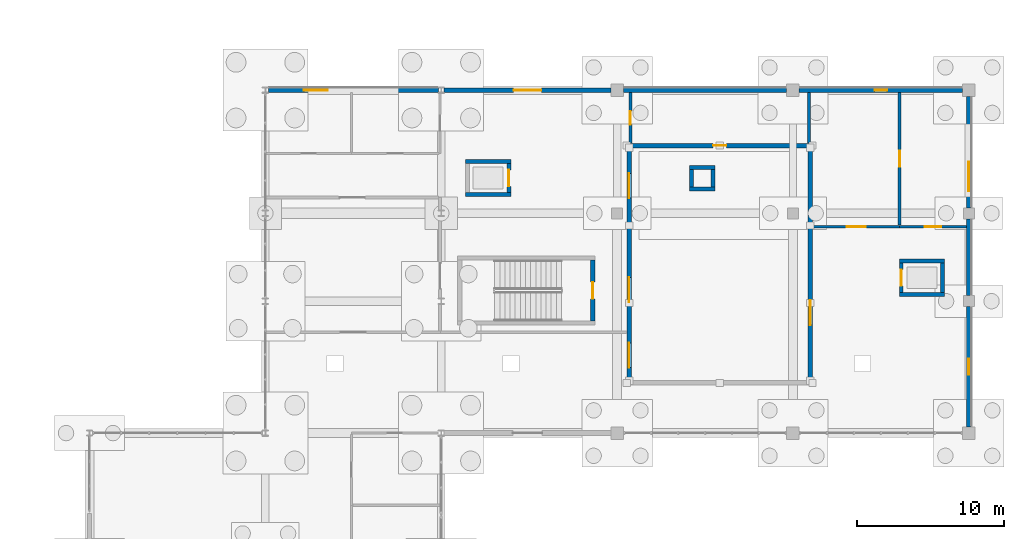
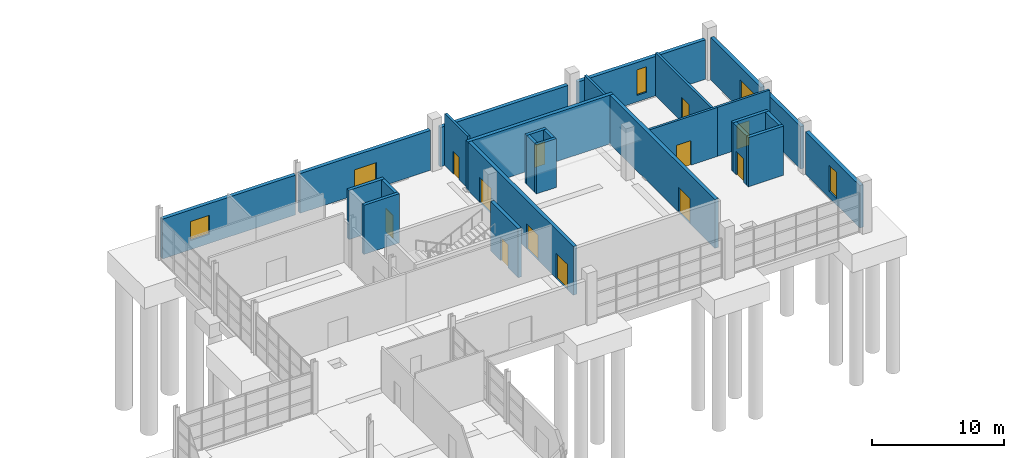
# One storey, part 65 of 82: 27 walls, 13 doors, 4 windows, 17 openings.
"""IFC4 building model written with IfcOpenShell, lengths in metres."""

import ifcopenshell
import ifcopenshell.guid

model = None  # the IFC model being written
_history = None  # IfcOwnerHistory: only IFC2X3 demands one
_inside = {}  # id of a spatial element -> (the spatial element, [elements in it])
_under = {}  # id of a project, library or spatial element -> (it, [spatial elements below it])
_declared = {}  # id of a project -> (the project, [libraries it declares])
_typed = {}  # id of a type object -> (the type object, [elements of that type])
_made_of = {}  # id of a material, layer set ... -> (it, [elements and type objects made of it])


def new_model(schema):
    """Start an empty IFC model of exactly this schema.

    Asked for "IFC4X3", IfcOpenShell would pick the latest addendum, in which some entities
    have other attributes; the version numbers below select the first issue.
    IFC2X3 requires an IfcOwnerHistory on every rooted entity: one is made here for all.
    """
    global model, _history
    if schema == "IFC4X3":
        model = ifcopenshell.file(schema_version=(4, 3, 0, 0))
    else:
        model = ifcopenshell.file(schema=schema)
    _inside.clear()
    _under.clear()
    _declared.clear()
    _typed.clear()
    _made_of.clear()
    _history = None
    if model.schema == "IFC2X3":
        org = make("IfcOrganization", Name="unknown")
        user = make(
            "IfcPersonAndOrganization",
            ThePerson=make("IfcPerson", FamilyName="unknown"),
            TheOrganization=org,
        )
        app = make(
            "IfcApplication",
            ApplicationDeveloper=org,
            Version="unknown",
            ApplicationFullName="unknown",
            ApplicationIdentifier="unknown",
        )
        _history = make(
            "IfcOwnerHistory",
            OwningUser=user,
            OwningApplication=app,
            ChangeAction="ADDED",
            CreationDate=0,
        )
    return model


def make(cls, **values):
    """One entity of the class cls with the attributes given. An attribute that is None is left unset."""
    return model.create_entity(
        cls, **{name: value for name, value in values.items() if value is not None}
    )


def rooted(cls, **values):
    """An entity with a GlobalId (a new one), such as an element, a storey or a relation."""
    return make(cls, GlobalId=ifcopenshell.guid.new(), OwnerHistory=_history, **values)


def si_unit(unit_type, name, prefix=None):
    """IfcSIUnit, for example si_unit("LENGTHUNIT", "METRE", prefix="MILLI")."""
    return make("IfcSIUnit", UnitType=unit_type, Prefix=prefix, Name=name)


def assignment(units):
    """IfcUnitAssignment: the units of a project."""
    return None if units is None else make("IfcUnitAssignment", Units=units)


def point(xyz):
    """IfcCartesianPoint."""
    return None if xyz is None else make("IfcCartesianPoint", Coordinates=xyz)


def direction(xyz):
    """IfcDirection."""
    return None if xyz is None else make("IfcDirection", DirectionRatios=xyz)


def frame(location, z_axis=None, x_axis=None):
    """IfcAxis2Placement3D, a coordinate frame: its origin and axes. An axis left out is left unset."""
    return make(
        "IfcAxis2Placement3D",
        Location=point(location),
        Axis=direction(z_axis),
        RefDirection=direction(x_axis),
    )


def frame_2d(location, x_axis=None):
    """IfcAxis2Placement2D, a coordinate frame in the plane: its origin and x axis."""
    return make(
        "IfcAxis2Placement2D", Location=point(location), RefDirection=direction(x_axis)
    )


def origin():
    """The frame at (0, 0, 0) with its axes left unset."""
    return frame((0.0, 0.0, 0.0))


def place(relative_to, where):
    """IfcLocalPlacement: puts the frame where relative to a parent placement (None: the world)."""
    return make(
        "IfcLocalPlacement", PlacementRelTo=relative_to, RelativePlacement=where
    )


def context(
    kind, dimensions, precision=None, world=None, true_north=None, identifier=None
):
    """IfcGeometricRepresentationContext, for example the 3D "Model" context."""
    return make(
        "IfcGeometricRepresentationContext",
        ContextIdentifier=identifier,
        ContextType=kind,
        CoordinateSpaceDimension=dimensions,
        Precision=precision,
        WorldCoordinateSystem=world,
        TrueNorth=true_north,
    )


def subcontext(parent, identifier, kind, view, scale=None):
    """IfcGeometricRepresentationSubContext, for example "Body" below "Model"."""
    return make(
        "IfcGeometricRepresentationSubContext",
        ContextIdentifier=identifier,
        ContextType=kind,
        ParentContext=parent,
        TargetScale=scale,
        TargetView=view,
    )


def project(units=None, contexts=None):
    """IfcProject with its units and contexts."""
    return rooted(
        "IfcProject",
        Name="project",
        RepresentationContexts=contexts,
        UnitsInContext=assignment(units),
    )


def spatial(cls, under=None, at=None, **own):
    """A site, building, storey or space (cls), placed at a placement, below another one or the project."""
    s = rooted(cls, ObjectPlacement=at, **own)
    if under is not None:
        _under.setdefault(under.id(), (under, []))[1].append(s)
    return s


def profile(cls, at=None, kind="AREA", **sizes):
    """A parametric profile (cls). Its sizes go by their IFC names, for example OverallWidth=200.0."""
    return make(cls, ProfileType=kind, Position=at, **sizes)


def rectangle(**sizes):
    """IfcRectangleProfileDef."""
    return profile("IfcRectangleProfileDef", **sizes)


def extrude(swept, where, along, depth):
    """IfcExtrudedAreaSolid: the profile swept, set in the frame where, extruded along a direction by depth."""
    return make(
        "IfcExtrudedAreaSolid",
        SweptArea=swept,
        Position=where,
        ExtrudedDirection=direction(along),
        Depth=depth,
    )


def shape(context_of_items, identifier, shape_type, items):
    """IfcShapeRepresentation: the items that make up one representation, for example the "Body"."""
    return make(
        "IfcShapeRepresentation",
        ContextOfItems=context_of_items,
        RepresentationIdentifier=identifier,
        RepresentationType=shape_type,
        Items=items,
    )


def material(Name=None, Category=None):
    """IfcMaterial."""
    return make("IfcMaterial", Name=Name, Category=Category)


def layer(
    of_material, thickness, ventilated=None, Name=None, Category=None, Priority=None
):
    """IfcMaterialLayer: one layer of a wall or slab, of a material (None: an air gap)."""
    return make(
        "IfcMaterialLayer",
        Material=of_material,
        LayerThickness=thickness,
        IsVentilated=ventilated,
        Name=Name,
        Category=Category,
        Priority=Priority,
    )


def layer_set(layers, Name=None):
    """IfcMaterialLayerSet."""
    return make("IfcMaterialLayerSet", MaterialLayers=layers, LayerSetName=Name)


def made_of(thing, what):
    """Note that an element or type object is made of a material, layer set ...; save() writes the relation."""
    if what is not None:
        _made_of.setdefault(what.id(), (what, []))[1].append(thing)
    return thing


def type_object(cls, material=None, **own):
    """A type object (cls), such as IfcWallType, which elements share."""
    return made_of(rooted(cls, **own), material)


def element(
    cls,
    number,
    at=None,
    inside=None,
    cuts=None,
    type_object=None,
    material=None,
    context=None,
    identifier="Body",
    shape_type=None,
    held_by="IfcProductDefinitionShape",
    body=None,
    shapes=None,
    **own,
):
    """One element of the class cls, such as IfcWall. Its Tag is "e" and its number.

    at: its placement. inside: the storey or other place that contains it. cuts: it is an
    opening in that element (IfcRelVoidsElement). A single representation is given by context,
    identifier, shape_type and body (its items); several are given by shapes. held_by: the class
    of the entity that holds the representations. save() writes the other relations.
    """
    e = rooted(cls, Tag="e%d" % number, ObjectPlacement=at, **own)
    if body is not None:
        shapes = [shape(context, identifier, shape_type, body)]
    if shapes is not None:
        e.Representation = make(held_by, Representations=shapes)
    if inside is not None:
        _inside.setdefault(inside.id(), (inside, []))[1].append(e)
    if cuts is not None:
        rooted(
            "IfcRelVoidsElement", RelatingBuildingElement=cuts, RelatedOpeningElement=e
        )
    if type_object is not None:
        _typed.setdefault(type_object.id(), (type_object, []))[1].append(e)
    return made_of(e, material)


def fill(opening, filler):
    """IfcRelFillsElement: the door or window that sits in an opening."""
    return rooted(
        "IfcRelFillsElement",
        RelatingOpeningElement=opening,
        RelatedBuildingElement=filler,
    )


def aggregate(whole, parts):
    """IfcRelAggregates: a whole, such as a stair, and the parts it consists of."""
    return rooted("IfcRelAggregates", RelatingObject=whole, RelatedObjects=parts)


def save(model, path):
    """Write the relations noted so far, then the file.

    IfcRelAggregates (storeys below a building ...), IfcRelContainedInSpatialStructure (elements
    in a storey), IfcRelDefinesByType, IfcRelAssociatesMaterial and IfcRelDeclares: one each for
    every whole, place, type object, material and project.
    """
    for whole, parts in _under.values():
        aggregate(whole, parts)
    for where, things in _inside.values():
        rooted(
            "IfcRelContainedInSpatialStructure",
            RelatedElements=things,
            RelatingStructure=where,
        )
    for kind, things in _typed.values():
        rooted("IfcRelDefinesByType", RelatedObjects=things, RelatingType=kind)
    for what, things in _made_of.values():
        rooted("IfcRelAssociatesMaterial", RelatedObjects=things, RelatingMaterial=what)
    for by, libraries in _declared.values():
        rooted("IfcRelDeclares", RelatingContext=by, RelatedDefinitions=libraries)
    model.write(path)


model = new_model("IFC4")

# Units and contexts
model_context = context("Model", 3, precision=1e-05, world=origin(), true_north=direction((0.0, 1.0)))
body_context = subcontext(model_context, "Body", "Model", "MODEL_VIEW")
ifc_project = project(units=[si_unit("LENGTHUNIT", "METRE"), si_unit("AREAUNIT", "SQUARE_METRE"), si_unit("VOLUMEUNIT", "CUBIC_METRE"), si_unit("PLANEANGLEUNIT", "RADIAN"), si_unit("MASSUNIT", "GRAM", prefix="KILO")], contexts=[model_context])

# Site, building, storey
site_placement = place(None, origin())
site = spatial("IfcSite", under=ifc_project, at=site_placement, CompositionType="ELEMENT")
building_placement = place(site_placement, origin())
building = spatial("IfcBuilding", under=site, at=building_placement, Name="Kelmvaro Bay Concert Hall", CompositionType="ELEMENT")
storey_placement = place(building_placement, origin())
storey = spatial("IfcBuildingStorey", under=building, at=storey_placement, Name="L00", CompositionType="ELEMENT", Elevation=0.0)

# Wall, opening, door
ifc_material_1 = material(Name="Concrete C40/50", Category="concrete")
ifc_layer_1 = layer(ifc_material_1, 0.31005859375)
ifc_layer_set_1 = layer_set([ifc_layer_1], Name="Concrete C40/50")
wall_type_1 = type_object("IfcWallType", Name="Chamber Inner Box Shear Wall 310", PredefinedType="SHEAR", material=ifc_layer_set_1)
wall_1_placement = place(storey_placement, frame((144.6650390625, 93.419921875, 0.0), z_axis=(0.0, 0.0, 1.0), x_axis=(1.0, 0.0, 0.0)))
wall_1 = element("IfcWall", 1, at=wall_1_placement, inside=storey, type_object=wall_type_1, Name="L00 V2 Acoustic Inner Box Wall N", PredefinedType="SHEAR", context=body_context, shape_type="SweptSolid", body=[
    extrude(rectangle(XDim=12.669921875, YDim=0.31005859375, at=frame_2d((6.3349609375, 0.0))), origin(), (0.0, 0.0, 1.0), 4.5),
])
opening_1_placement = place(wall_1_placement, frame((5.8798828125, 0.0, 0.0)))
opening_1 = element("IfcOpeningElement", 2, at=opening_1_placement, cuts=wall_1, Name="Opening ID-PL2", PredefinedType="OPENING", context=body_context, shape_type="SweptSolid", body=[
    extrude(rectangle(XDim=0.909912109375, YDim=2.10009765625, at=frame_2d((0.455078125, 1.050048828125))), frame((0.0, 0.1650390625, 0.0), z_axis=(0.0, -1.0, 0.0), x_axis=(1.0, 0.0, 0.0)), (0.0, 0.0, 1.0), 0.330078125),
])
ifc_material_2 = material(Name="Fire-Rated Galvanised Steel", Category="steel")
door_type_1 = type_object("IfcDoorType", Name="Fire Command and Storage Door 910x2100", OperationType="NOTDEFINED", PredefinedType="DOOR", material=ifc_material_2)
door_1_placement = place(opening_1_placement, origin())
door_1 = element("IfcDoor", 3, at=door_1_placement, inside=storey, type_object=door_type_1, Name="L00 Interior Door DR-INT-L00-0024", OperationType="SINGLE_SWING_RIGHT", OverallHeight=2.10009765625, OverallWidth=0.909912109375, PredefinedType="DOOR", context=body_context, shape_type="SweptSolid", body=[
    extrude(rectangle(XDim=0.909912109375, YDim=2.10009765625, at=frame_2d((0.455078125, 1.050048828125))), frame((0.0, 0.02490234375, 0.0), z_axis=(0.0, -1.0, 0.0), x_axis=(1.0, 0.0, 0.0)), (0.0, 0.0, 1.0), 0.050048828125),
])
fill(opening_1, door_1)

# Wall, openings, doors
wall_2_placement = place(storey_placement, frame((144.820068359375, 77.375, 0.0), z_axis=(0.0, 0.0, 1.0), x_axis=(0.0, 1.0, 0.0)))
wall_2 = element("IfcWall", 4, at=wall_2_placement, inside=storey, type_object=wall_type_1, Name="L00 V2 Acoustic Inner Box Wall W", PredefinedType="SHEAR", context=body_context, shape_type="SweptSolid", body=[
    extrude(rectangle(XDim=15.889892578125, YDim=0.31005859375, at=frame_2d((7.94482421875, 0.0))), origin(), (0.0, 0.0, 1.0), 4.5),
])
opening_2_placement = place(wall_2_placement, frame((0.89501953125, 0.0, 0.0)))
opening_2 = element("IfcOpeningElement", 5, at=opening_2_placement, cuts=wall_2, Name="Opening ID-AC2", PredefinedType="OPENING", context=body_context, shape_type="SweptSolid", body=[
    extrude(rectangle(XDim=1.679931640625, YDim=2.320068359375, at=frame_2d((0.83984375, 1.16015625))), frame((0.0, 0.1650390625, 0.0), z_axis=(0.0, -1.0, 0.0), x_axis=(1.0, 0.0, 0.0)), (0.0, 0.0, 1.0), 0.330078125),
])
opening_3_placement = place(wall_2_placement, frame((5.364990234375, 0.0, 0.0)))
opening_3 = element("IfcOpeningElement", 6, at=opening_3_placement, cuts=wall_2, Name="Opening ID-AC2", PredefinedType="OPENING", context=body_context, shape_type="SweptSolid", body=[
    extrude(rectangle(XDim=1.679931640625, YDim=2.320068359375, at=frame_2d((0.83984375, 1.16015625))), frame((0.0, 0.1650390625, 0.0), z_axis=(0.0, -1.0, 0.0), x_axis=(1.0, 0.0, 0.0)), (0.0, 0.0, 1.0), 0.330078125),
])
opening_4_placement = place(wall_2_placement, frame((12.45849609375, 0.0, 0.0)))
opening_4 = element("IfcOpeningElement", 7, at=opening_4_placement, cuts=wall_2, Name="Opening ID-AC2", PredefinedType="OPENING", context=body_context, shape_type="SweptSolid", body=[
    extrude(rectangle(XDim=1.679931640625, YDim=2.320068359375, at=frame_2d((0.83984375, 1.16015625))), frame((0.0, 0.1650390625, 0.0), z_axis=(0.0, -1.0, 0.0), x_axis=(1.0, 0.0, 0.0)), (0.0, 0.0, 1.0), 0.330078125),
])
ifc_material_3 = material(Name="Solid White Oak Acoustic Leaf")
door_type_2 = type_object("IfcDoorType", Name="Chamber Hall Acoustic Double Door 1680x2320", OperationType="NOTDEFINED", PredefinedType="DOOR", material=ifc_material_3)
door_2_placement = place(opening_2_placement, origin())
door_2 = element("IfcDoor", 8, at=door_2_placement, inside=storey, type_object=door_type_2, Name="L00 Interior Door DR-INT-L00-0020", OperationType="DOUBLE_DOOR_SINGLE_SWING", OverallHeight=2.320068359375, OverallWidth=1.679931640625, PredefinedType="DOOR", context=body_context, shape_type="SweptSolid", body=[
    extrude(rectangle(XDim=1.679931640625, YDim=2.320068359375, at=frame_2d((0.83984375, 1.16015625))), frame((0.0, 0.02490234375, 0.0), z_axis=(0.0, -1.0, 0.0), x_axis=(1.0, 0.0, 0.0)), (0.0, 0.0, 1.0), 0.050048828125),
])
fill(opening_2, door_2)
door_3_placement = place(opening_3_placement, origin())
door_3 = element("IfcDoor", 9, at=door_3_placement, inside=storey, type_object=door_type_2, Name="L00 Interior Door DR-INT-L00-0021", OperationType="DOUBLE_DOOR_SINGLE_SWING", OverallHeight=2.320068359375, OverallWidth=1.679931640625, PredefinedType="DOOR", context=body_context, shape_type="SweptSolid", body=[
    extrude(rectangle(XDim=1.679931640625, YDim=2.320068359375, at=frame_2d((0.83984375, 1.16015625))), frame((0.0, 0.02490234375, 0.0), z_axis=(0.0, -1.0, 0.0), x_axis=(1.0, 0.0, 0.0)), (0.0, 0.0, 1.0), 0.050048828125),
])
fill(opening_3, door_3)
door_4_placement = place(opening_4_placement, origin())
door_4 = element("IfcDoor", 10, at=door_4_placement, inside=storey, type_object=door_type_2, Name="L00 Interior Door DR-INT-L00-0023", OperationType="DOUBLE_DOOR_SINGLE_SWING", OverallHeight=2.320068359375, OverallWidth=1.679931640625, PredefinedType="DOOR", context=body_context, shape_type="SweptSolid", body=[
    extrude(rectangle(XDim=1.679931640625, YDim=2.320068359375, at=frame_2d((0.83984375, 1.16015625))), frame((0.0, 0.02490234375, 0.0), z_axis=(0.0, -1.0, 0.0), x_axis=(1.0, 0.0, 0.0)), (0.0, 0.0, 1.0), 0.050048828125),
])
fill(opening_4, door_4)

# Wall, opening, door
wall_3_placement = place(storey_placement, frame((157.179931640625, 77.375, 0.0), z_axis=(0.0, 0.0, 1.0), x_axis=(0.0, 1.0, 0.0)))
wall_3 = element("IfcWall", 11, at=wall_3_placement, inside=storey, type_object=wall_type_1, Name="L00 V2 Acoustic Inner Box Wall E", PredefinedType="SHEAR", context=body_context, shape_type="SweptSolid", body=[
    extrude(rectangle(XDim=15.889892578125, YDim=0.31005859375, at=frame_2d((7.94482421875, 0.0))), origin(), (0.0, 0.0, 1.0), 4.5),
])
opening_5_placement = place(wall_3_placement, frame((3.794921875, 0.0, 0.0)))
opening_5 = element("IfcOpeningElement", 12, at=opening_5_placement, cuts=wall_3, Name="Opening ID-AC2", PredefinedType="OPENING", context=body_context, shape_type="SweptSolid", body=[
    extrude(rectangle(XDim=1.679931640625, YDim=2.320068359375, at=frame_2d((0.83984375, 1.16015625))), frame((0.0, 0.1650390625, 0.0), z_axis=(0.0, -1.0, 0.0), x_axis=(1.0, 0.0, 0.0)), (0.0, 0.0, 1.0), 0.330078125),
])
door_5_placement = place(opening_5_placement, origin())
door_5 = element("IfcDoor", 13, at=door_5_placement, inside=storey, type_object=door_type_2, Name="L00 Interior Door DR-INT-L00-0022", OperationType="DOUBLE_DOOR_SINGLE_SWING", OverallHeight=2.320068359375, OverallWidth=1.679931640625, PredefinedType="DOOR", context=body_context, shape_type="SweptSolid", body=[
    extrude(rectangle(XDim=1.679931640625, YDim=2.320068359375, at=frame_2d((0.83984375, 1.16015625))), frame((0.0, 0.02490234375, 0.0), z_axis=(0.0, -1.0, 0.0), x_axis=(1.0, 0.0, 0.0)), (0.0, 0.0, 1.0), 0.050048828125),
])
fill(opening_5, door_5)

# Wall, opening, window
ifc_material_4 = material(Name="Precast Concrete C40/50", Category="concrete")
ifc_layer_2 = layer(ifc_material_4, 0.320068359375)
ifc_layer_set_2 = layer_set([ifc_layer_2], Name="Precast Concrete C40/50")
wall_type_2 = type_object("IfcWallType", Name="Chamber Pavilion Precast Wall 320", PredefinedType="SOLIDWALL", material=ifc_layer_set_2)
wall_4_placement = place(storey_placement, frame((120.200439453125, 97.199951171875, 0.0), z_axis=(0.0, 0.0, 1.0), x_axis=(1.0, 0.0, 0.0)))
wall_4 = element("IfcWall", 14, at=wall_4_placement, inside=storey, type_object=wall_type_2, Name="L00 Exterior Wall EW-L00-0116", PredefinedType="SOLIDWALL", context=body_context, shape_type="SweptSolid", body=[
    extrude(rectangle(XDim=11.59912109375, YDim=0.320068359375, at=frame_2d((5.799560546875, 0.0))), origin(), (0.0, 0.0, 1.0), 3.669921875),
])
opening_6_placement = place(wall_4_placement, frame((2.422607421875, 0.0, 0.85009765625)))
opening_6 = element("IfcOpeningElement", 15, at=opening_6_placement, cuts=wall_4, Name="Opening WN-12", PredefinedType="OPENING", context=body_context, shape_type="SweptSolid", body=[
    extrude(rectangle(XDim=1.64990234375, YDim=1.75, at=frame_2d((0.824951171875, 0.875))), frame((0.0, 0.169921875, 0.0), z_axis=(0.0, -1.0, 0.0), x_axis=(1.0, 0.0, 0.0)), (0.0, 0.0, 1.0), 0.340087890625),
])
ifc_material_5 = material(Name="Thermally Broken Aluminium and Acoustic Low-E Glass", Category="aluminium")
window_type_1 = type_object("IfcWindowType", Name="Administration View Window 1650x1750", PartitioningType="SINGLE_PANEL", PredefinedType="WINDOW", material=ifc_material_5)
window_1_placement = place(opening_6_placement, origin())
window_1 = element("IfcWindow", 16, at=window_1_placement, inside=storey, type_object=window_type_1, Name="L00 Facade Window WN-L00-0042", OverallHeight=1.75, OverallWidth=1.64990234375, PartitioningType="SINGLE_PANEL", PredefinedType="WINDOW", context=body_context, shape_type="SweptSolid", body=[
    extrude(rectangle(XDim=1.64990234375, YDim=1.75, at=frame_2d((0.824951171875, 0.875))), frame((0.0, 0.030029296875, 0.0), z_axis=(0.0, -1.0, 0.0), x_axis=(1.0, 0.0, 0.0)), (0.0, 0.0, 1.0), 0.06005859375),
])
fill(opening_6, window_1)

# Wall, opening, door
wall_5_placement = place(storey_placement, frame((132.200439453125, 97.199951171875, 0.0), z_axis=(0.0, 0.0, 1.0), x_axis=(1.0, 0.0, 0.0)))
wall_5 = element("IfcWall", 17, at=wall_5_placement, inside=storey, type_object=wall_type_2, Name="L00 Exterior Wall EW-L00-0117", PredefinedType="SOLIDWALL", context=body_context, shape_type="SweptSolid", body=[
    extrude(rectangle(XDim=11.37451171875, YDim=0.320068359375, at=frame_2d((5.687255859375, 0.0))), origin(), (0.0, 0.0, 1.0), 3.669921875),
])
opening_7_placement = place(wall_5_placement, frame((4.7373046875, 0.0, 0.0)))
opening_7 = element("IfcOpeningElement", 18, at=opening_7_placement, cuts=wall_5, Name="Opening ED-190", PredefinedType="OPENING", context=body_context, shape_type="SweptSolid", body=[
    extrude(rectangle(XDim=1.89990234375, YDim=2.35009765625, at=frame_2d((0.949951171875, 1.175048828125))), frame((0.0, 0.169921875, 0.0), z_axis=(0.0, -1.0, 0.0), x_axis=(1.0, 0.0, 0.0)), (0.0, 0.0, 1.0), 0.340087890625),
])
ifc_material_6 = material(Name="Thermally Broken Aluminium and Laminated Safety Glass", Category="aluminium")
door_type_3 = type_object("IfcDoorType", Name="Pavilion Discharge Double Door 1900x2350", OperationType="NOTDEFINED", PredefinedType="DOOR", material=ifc_material_6)
door_6_placement = place(opening_7_placement, origin())
door_6 = element("IfcDoor", 19, at=door_6_placement, inside=storey, type_object=door_type_3, Name="L00 Exterior Door DR-EXT-L00-008", OperationType="DOUBLE_DOOR_SINGLE_SWING", OverallHeight=2.35009765625, OverallWidth=1.89990234375, PredefinedType="DOOR", context=body_context, shape_type="SweptSolid", body=[
    extrude(rectangle(XDim=1.89990234375, YDim=2.35009765625, at=frame_2d((0.949951171875, 1.175048828125))), frame((0.0, 0.02490234375, 0.0), z_axis=(0.0, -1.0, 0.0), x_axis=(1.0, 0.0, 0.0)), (0.0, 0.0, 1.0), 0.050048828125),
])
fill(opening_7, door_6)

# Wall
wall_6_placement = place(storey_placement, frame((144.425048828125, 97.199951171875, 0.0), z_axis=(0.0, 0.0, 1.0), x_axis=(1.0, 0.0, 0.0)))
element("IfcWall", 20, at=wall_6_placement, inside=storey, type_object=wall_type_2, Name="L00 Exterior Wall EW-L00-0118", PredefinedType="SOLIDWALL", context=body_context, shape_type="SweptSolid", body=[
    extrude(rectangle(XDim=11.14990234375, YDim=0.320068359375, at=frame_2d((5.574951171875, 0.0))), origin(), (0.0, 0.0, 1.0), 3.6298828125),
])

# Wall, opening, window
wall_7_placement = place(storey_placement, frame((156.425048828125, 97.199951171875, 0.0), z_axis=(0.0, 0.0, 1.0), x_axis=(1.0, 0.0, 0.0)))
wall_7 = element("IfcWall", 21, at=wall_7_placement, inside=storey, type_object=wall_type_2, Name="L00 Exterior Wall EW-L00-0119", PredefinedType="SOLIDWALL", context=body_context, shape_type="SweptSolid", body=[
    extrude(rectangle(XDim=11.14990234375, YDim=0.320068359375, at=frame_2d((5.574951171875, 0.0))), origin(), (0.0, 0.0, 1.0), 3.6298828125),
])
opening_8_placement = place(wall_7_placement, frame((5.14990234375, 0.0, 0.60009765625)))
opening_8 = element("IfcOpeningElement", 22, at=opening_8_placement, cuts=wall_7, Name="Opening WN-13", PredefinedType="OPENING", context=body_context, shape_type="SweptSolid", body=[
    extrude(rectangle(XDim=0.85009765625, YDim=2.35009765625, at=frame_2d((0.425048828125, 1.175048828125))), frame((0.0, 0.169921875, 0.0), z_axis=(0.0, -1.0, 0.0), x_axis=(1.0, 0.0, 0.0)), (0.0, 0.0, 1.0), 0.340087890625),
])
ifc_material_7 = material(Name="Thermally Broken Aluminium and Acoustic Low-E Glass", Category="aluminium")
window_type_2 = type_object("IfcWindowType", Name="Salon Vertical Slot Window 850x2350", PartitioningType="SINGLE_PANEL", PredefinedType="WINDOW", material=ifc_material_7)
window_2_placement = place(opening_8_placement, origin())
window_2 = element("IfcWindow", 23, at=window_2_placement, inside=storey, type_object=window_type_2, Name="L00 Facade Window WN-L00-0043", OverallHeight=2.35009765625, OverallWidth=0.85009765625, PartitioningType="SINGLE_PANEL", PredefinedType="WINDOW", context=body_context, shape_type="SweptSolid", body=[
    extrude(rectangle(XDim=0.85009765625, YDim=2.35009765625, at=frame_2d((0.425048828125, 1.175048828125))), frame((0.0, 0.030029296875, 0.0), z_axis=(0.0, -1.0, 0.0), x_axis=(1.0, 0.0, 0.0)), (0.0, 0.0, 1.0), 0.06005859375),
])
fill(opening_8, window_2)

wall_8_placement = place(storey_placement, frame((168.0, 82.425048828125, 0.0), z_axis=(0.0, 0.0, 1.0), x_axis=(0.0, -1.0, 0.0)))
wall_8 = element("IfcWall", 24, at=wall_8_placement, inside=storey, type_object=wall_type_2, Name="L00 Exterior Wall EW-L00-0120", PredefinedType="SOLIDWALL", context=body_context, shape_type="SweptSolid", body=[
    extrude(rectangle(XDim=8.199951171875, YDim=0.320068359375, at=frame_2d((4.10009765625, 0.0))), origin(), (0.0, 0.0, 1.0), 3.908935546875),
])
opening_9_placement = place(wall_8_placement, frame((3.550048828125, 0.0, 0.60009765625)))
opening_9 = element("IfcOpeningElement", 25, at=opening_9_placement, cuts=wall_8, Name="Opening WN-14", PredefinedType="OPENING", context=body_context, shape_type="SweptSolid", body=[
    extrude(rectangle(XDim=1.10009765625, YDim=2.39990234375, at=frame_2d((0.550048828125, 1.199951171875))), frame((0.0, 0.169921875, 0.0), z_axis=(0.0, -1.0, 0.0), x_axis=(1.0, 0.0, 0.0)), (0.0, 0.0, 1.0), 0.340087890625),
])
ifc_material_8 = material(Name="Thermally Broken Aluminium and Acoustic Low-E Glass", Category="aluminium")
window_type_3 = type_object("IfcWindowType", Name="Salon Vertical Slot Window 1100x2400", PartitioningType="SINGLE_PANEL", PredefinedType="WINDOW", material=ifc_material_8)
window_3_placement = place(opening_9_placement, origin())
window_3 = element("IfcWindow", 26, at=window_3_placement, inside=storey, type_object=window_type_3, Name="L00 Facade Window WN-L00-0044", OverallHeight=2.39990234375, OverallWidth=1.10009765625, PartitioningType="SINGLE_PANEL", PredefinedType="WINDOW", context=body_context, shape_type="SweptSolid", body=[
    extrude(rectangle(XDim=1.10009765625, YDim=2.39990234375, at=frame_2d((0.550048828125, 1.199951171875))), frame((0.0, 0.030029296875, 0.0), z_axis=(0.0, -1.0, 0.0), x_axis=(1.0, 0.0, 0.0)), (0.0, 0.0, 1.0), 0.06005859375),
])
fill(opening_9, window_3)

# Wall
wall_9_placement = place(storey_placement, frame((168.0, 88.425048828125, 0.0), z_axis=(0.0, 0.0, 1.0), x_axis=(0.0, -1.0, 0.0)))
element("IfcWall", 27, at=wall_9_placement, inside=storey, type_object=wall_type_2, Name="L00 Exterior Wall EW-L00-0121", PredefinedType="SOLIDWALL", context=body_context, shape_type="SweptSolid", body=[
    extrude(rectangle(XDim=5.25, YDim=0.320068359375, at=frame_2d((2.625, 0.0))), origin(), (0.0, 0.0, 1.0), 3.907958984375),
])

# Wall, opening, window
wall_10_placement = place(storey_placement, frame((168.0, 96.77490234375, 0.0), z_axis=(0.0, 0.0, 1.0), x_axis=(0.0, -1.0, 0.0)))
wall_10 = element("IfcWall", 28, at=wall_10_placement, inside=storey, type_object=wall_type_2, Name="L00 Exterior Wall EW-L00-0122", PredefinedType="SOLIDWALL", context=body_context, shape_type="SweptSolid", body=[
    extrude(rectangle(XDim=7.599853515625, YDim=0.320068359375, at=frame_2d((3.7998046875, 0.0))), origin(), (0.0, 0.0, 1.0), 3.907958984375),
])
opening_10_placement = place(wall_10_placement, frame((4.471923828125, 0.0, 0.85009765625)))
opening_10 = element("IfcOpeningElement", 29, at=opening_10_placement, cuts=wall_10, Name="Opening WN-16", PredefinedType="OPENING", context=body_context, shape_type="SweptSolid", body=[
    extrude(rectangle(XDim=2.0, YDim=1.85009765625, at=frame_2d((1.0, 0.925048828125))), frame((0.0, 0.169921875, 0.0), z_axis=(0.0, -1.0, 0.0), x_axis=(1.0, 0.0, 0.0)), (0.0, 0.0, 1.0), 0.340087890625),
])
ifc_material_9 = material(Name="Thermally Broken Aluminium and Acoustic Low-E Glass", Category="aluminium")
window_type_4 = type_object("IfcWindowType", Name="Green Room Garden Window 2000x1850", PartitioningType="SINGLE_PANEL", PredefinedType="WINDOW", material=ifc_material_9)
window_4_placement = place(opening_10_placement, origin())
window_4 = element("IfcWindow", 30, at=window_4_placement, inside=storey, type_object=window_type_4, Name="L00 Facade Window WN-L00-0045", OverallHeight=1.85009765625, OverallWidth=2.0, PartitioningType="SINGLE_PANEL", PredefinedType="WINDOW", context=body_context, shape_type="SweptSolid", body=[
    extrude(rectangle(XDim=2.0, YDim=1.85009765625, at=frame_2d((1.0, 0.925048828125))), frame((0.0, 0.030029296875, 0.0), z_axis=(0.0, -1.0, 0.0), x_axis=(1.0, 0.0, 0.0)), (0.0, 0.0, 1.0), 0.06005859375),
])
fill(opening_10, window_4)

# Wall, opening, door
ifc_material_10 = material(Name="Acoustic Gypsum Board on Galvanised Steel Studs", Category="steel")
ifc_layer_3 = layer(ifc_material_10, 0.199951171875)
ifc_layer_set_3 = layer_set([ifc_layer_3], Name="Acoustic Gypsum Board on Galvanised Steel Studs")
wall_type_3 = type_object("IfcWallType", Name="Double-Stud Acoustic Studio Partition 200", PredefinedType="PARTITIONING", material=ifc_layer_set_3)
wall_11_placement = place(storey_placement, frame((144.89990234375, 93.5849609375, 0.0), z_axis=(0.0, 0.0, 1.0), x_axis=(0.0, 1.0, 0.0)))
wall_11 = element("IfcWall", 31, at=wall_11_placement, inside=storey, type_object=wall_type_3, Name="L00 Interior Partition PT-L00-0041", PredefinedType="PARTITIONING", context=body_context, shape_type="SweptSolid", body=[
    extrude(rectangle(XDim=3.445068359375, YDim=0.199951171875, at=frame_2d((1.72265625, 0.0))), origin(), (0.0, 0.0, 1.0), 4.800048828125),
])
opening_11_placement = place(wall_11_placement, frame((1.267578125, 0.0, 0.0)))
opening_11 = element("IfcOpeningElement", 32, at=opening_11_placement, cuts=wall_11, Name="Opening ID-PL2", PredefinedType="OPENING", context=body_context, shape_type="SweptSolid", body=[
    extrude(rectangle(XDim=0.909912109375, YDim=2.10009765625, at=frame_2d((0.455078125, 1.050048828125))), frame((0.0, 0.10986328125, 0.0), z_axis=(0.0, -1.0, 0.0), x_axis=(1.0, 0.0, 0.0)), (0.0, 0.0, 1.0), 0.219970703125),
])
door_7_placement = place(opening_11_placement, origin())
door_7 = element("IfcDoor", 33, at=door_7_placement, inside=storey, type_object=door_type_1, Name="L00 Interior Door DR-INT-L00-0029", OperationType="SINGLE_SWING_LEFT", OverallHeight=2.10009765625, OverallWidth=0.909912109375, PredefinedType="DOOR", context=body_context, shape_type="SweptSolid", body=[
    extrude(rectangle(XDim=0.909912109375, YDim=2.10009765625, at=frame_2d((0.455078125, 1.050048828125))), frame((0.0, 0.02490234375, 0.0), z_axis=(0.0, -1.0, 0.0), x_axis=(1.0, 0.0, 0.0)), (0.0, 0.0, 1.0), 0.050048828125),
])
fill(opening_11, door_7)

# Wall
wall_12_placement = place(storey_placement, frame((157.080078125, 93.5849609375, 0.0), z_axis=(0.0, 0.0, 1.0), x_axis=(0.0, 1.0, 0.0)))
element("IfcWall", 34, at=wall_12_placement, inside=storey, type_object=wall_type_3, Name="L00 Interior Partition PT-L00-0046", PredefinedType="PARTITIONING", context=body_context, shape_type="SweptSolid", body=[
    extrude(rectangle(XDim=3.445068359375, YDim=0.199951171875, at=frame_2d((1.72265625, 0.0))), origin(), (0.0, 0.0, 1.0), 4.06298828125),
])

# Wall, opening, door
wall_13_placement = place(storey_placement, frame((157.344970703125, 87.8798828125, 0.0), z_axis=(0.0, 0.0, 1.0), x_axis=(1.0, 0.0, 0.0)))
wall_13 = element("IfcWall", 35, at=wall_13_placement, inside=storey, type_object=wall_type_3, Name="L00 Interior Partition PT-L00-0047", PredefinedType="PARTITIONING", context=body_context, shape_type="SweptSolid", body=[
    extrude(rectangle(XDim=5.93994140625, YDim=0.199951171875, at=frame_2d((2.969970703125, 0.0))), origin(), (0.0, 0.0, 1.0), 4.52001953125),
])
opening_12_placement = place(wall_13_placement, frame((2.330078125, 0.0, 0.0)))
opening_12 = element("IfcOpeningElement", 36, at=opening_12_placement, cuts=wall_13, Name="Opening ID-ST3", PredefinedType="OPENING", context=body_context, shape_type="SweptSolid", body=[
    extrude(rectangle(XDim=1.280029296875, YDim=2.260009765625, at=frame_2d((0.64013671875, 1.1298828125))), frame((0.0, 0.10986328125, 0.0), z_axis=(0.0, -1.0, 0.0), x_axis=(1.0, 0.0, 0.0)), (0.0, 0.0, 1.0), 0.219970703125),
])
ifc_material_11 = material(Name="Acoustic Laminated Steel Core", Category="steel")
door_type_4 = type_object("IfcDoorType", Name="Soundtrack Studio Heavy Door 1280x2260", OperationType="NOTDEFINED", PredefinedType="DOOR", material=ifc_material_11)
door_8_placement = place(opening_12_placement, origin())
door_8 = element("IfcDoor", 37, at=door_8_placement, inside=storey, type_object=door_type_4, Name="L00 Interior Door DR-INT-L00-0033", OperationType="SINGLE_SWING_LEFT", OverallHeight=2.260009765625, OverallWidth=1.280029296875, PredefinedType="DOOR", context=body_context, shape_type="SweptSolid", body=[
    extrude(rectangle(XDim=1.280029296875, YDim=2.260009765625, at=frame_2d((0.64013671875, 1.1298828125))), frame((0.0, 0.02490234375, 0.0), z_axis=(0.0, -1.0, 0.0), x_axis=(1.0, 0.0, 0.0)), (0.0, 0.0, 1.0), 0.050048828125),
])
fill(opening_12, door_8)

wall_14_placement = place(storey_placement, frame((163.27490234375, 87.8798828125, 0.0), z_axis=(0.0, 0.0, 1.0), x_axis=(1.0, 0.0, 0.0)))
wall_14 = element("IfcWall", 38, at=wall_14_placement, inside=storey, type_object=wall_type_3, Name="L00 Interior Partition PT-L00-0048", PredefinedType="PARTITIONING", context=body_context, shape_type="SweptSolid", body=[
    extrude(rectangle(XDim=4.55517578125, YDim=0.199951171875, at=frame_2d((2.277587890625, 0.0))), origin(), (0.0, 0.0, 1.0), 4.52001953125),
])
opening_13_placement = place(wall_14_placement, frame((1.7275390625, 0.0, 0.0)))
opening_13 = element("IfcOpeningElement", 39, at=opening_13_placement, cuts=wall_14, Name="Opening ID-AC5", PredefinedType="OPENING", context=body_context, shape_type="SweptSolid", body=[
    extrude(rectangle(XDim=1.10009765625, YDim=2.260009765625, at=frame_2d((0.550048828125, 1.1298828125))), frame((0.0, 0.10986328125, 0.0), z_axis=(0.0, -1.0, 0.0), x_axis=(1.0, 0.0, 0.0)), (0.0, 0.0, 1.0), 0.219970703125),
])
ifc_material_12 = material(Name="Acoustic Laminated Steel Core", Category="steel")
door_type_5 = type_object("IfcDoorType", Name="Studio Sound-Lock Heavy Door 1100x2260", OperationType="NOTDEFINED", PredefinedType="DOOR", material=ifc_material_12)
door_9_placement = place(opening_13_placement, origin())
door_9 = element("IfcDoor", 40, at=door_9_placement, inside=storey, type_object=door_type_5, Name="L00 Interior Door DR-INT-L00-0034", OperationType="SINGLE_SWING_RIGHT", OverallHeight=2.260009765625, OverallWidth=1.10009765625, PredefinedType="DOOR", context=body_context, shape_type="SweptSolid", body=[
    extrude(rectangle(XDim=1.10009765625, YDim=2.260009765625, at=frame_2d((0.550048828125, 1.1298828125))), frame((0.0, 0.02490234375, 0.0), z_axis=(0.0, -1.0, 0.0), x_axis=(1.0, 0.0, 0.0)), (0.0, 0.0, 1.0), 0.050048828125),
])
fill(opening_13, door_9)

wall_15_placement = place(storey_placement, frame((163.280029296875, 87.989990234375, 0.0), z_axis=(0.0, 0.0, 1.0), x_axis=(0.0, 1.0, 0.0)))
wall_15 = element("IfcWall", 41, at=wall_15_placement, inside=storey, type_object=wall_type_3, Name="L00 Interior Partition PT-L00-0049", PredefinedType="PARTITIONING", context=body_context, shape_type="SweptSolid", body=[
    extrude(rectangle(XDim=9.0400390625, YDim=0.199951171875, at=frame_2d((4.52001953125, 0.0))), origin(), (0.0, 0.0, 1.0), 3.98388671875),
])
opening_14_placement = place(wall_15_placement, frame((3.969970703125, 0.0, 0.0)))
opening_14 = element("IfcOpeningElement", 42, at=opening_14_placement, cuts=wall_15, Name="Opening ID-AC5", PredefinedType="OPENING", context=body_context, shape_type="SweptSolid", body=[
    extrude(rectangle(XDim=1.10009765625, YDim=2.260009765625, at=frame_2d((0.550048828125, 1.1298828125))), frame((0.0, 0.10986328125, 0.0), z_axis=(0.0, -1.0, 0.0), x_axis=(1.0, 0.0, 0.0)), (0.0, 0.0, 1.0), 0.219970703125),
])
door_10_placement = place(opening_14_placement, origin())
door_10 = element("IfcDoor", 43, at=door_10_placement, inside=storey, type_object=door_type_5, Name="L00 Interior Door DR-INT-L00-0035", OperationType="SINGLE_SWING_LEFT", OverallHeight=2.260009765625, OverallWidth=1.10009765625, PredefinedType="DOOR", context=body_context, shape_type="SweptSolid", body=[
    extrude(rectangle(XDim=1.10009765625, YDim=2.260009765625, at=frame_2d((0.550048828125, 1.1298828125))), frame((0.0, 0.02490234375, 0.0), z_axis=(0.0, -1.0, 0.0), x_axis=(1.0, 0.0, 0.0)), (0.0, 0.0, 1.0), 0.050048828125),
])
fill(opening_14, door_10)

# Walls
ifc_material_13 = material(Name="Concrete C40/50", Category="concrete")
ifc_layer_4 = layer(ifc_material_13, 0.27001953125)
ifc_layer_set_4 = layer_set([ifc_layer_4], Name="Concrete C40/50")
wall_type_4 = type_object("IfcWallType", Name="Secondary Shaft Shear Wall 270", PredefinedType="SHEAR", material=ifc_layer_set_4)
for number, where, z_axis, x_axis, name in (
    (44, (148.929931640625, 90.465087890625, 0.0), (0.0, 0.0, 1.0), (1.0, 0.0, 0.0), "L00 Service Riser Shaft Wall 009-S"),
    (45, (148.929931640625, 91.93505859375, 0.0), (0.0, 0.0, 1.0), (1.0, 0.0, 0.0), "L00 Service Riser Shaft Wall 010-N"),
):
    element("IfcWall", number, at=place(storey_placement, frame(where, z_axis=z_axis, x_axis=x_axis)), inside=storey, type_object=wall_type_4, Name=name, PredefinedType="SHEAR", context=body_context, shape_type="SweptSolid", body=[
        extrude(rectangle(XDim=1.739990234375, YDim=0.27001953125, at=frame_2d((0.8701171875, 0.0))), origin(), (0.0, 0.0, 1.0), 4.5),
    ])
for number, where, z_axis, x_axis, name in (
    (46, (149.06494140625, 90.60009765625, 0.0), (0.0, 0.0, 1.0), (0.0, 1.0, 0.0), "L00 Service Riser Shaft Wall 011-W"),
    (47, (150.534912109375, 90.60009765625, 0.0), (0.0, 0.0, 1.0), (0.0, 1.0, 0.0), "L00 Service Riser Shaft Wall 012-E"),
):
    element("IfcWall", number, at=place(storey_placement, frame(where, z_axis=z_axis, x_axis=x_axis)), inside=storey, type_object=wall_type_4, Name=name, PredefinedType="SHEAR", context=body_context, shape_type="SweptSolid", body=[
        extrude(rectangle(XDim=1.199951171875, YDim=0.27001953125, at=frame_2d((0.60009765625, 0.0))), origin(), (0.0, 0.0, 1.0), 4.5),
    ])
for number, where, z_axis, x_axis, name in (
    (48, (133.655029296875, 90.06494140625, 0.0), (0.0, 0.0, 1.0), (1.0, 0.0, 0.0), "L00 LF-04 Lift Shaft Wall S"),
    (49, (133.655029296875, 92.3349609375, 0.0), (0.0, 0.0, 1.0), (1.0, 0.0, 0.0), "L00 LF-04 Lift Shaft Wall N"),
):
    element("IfcWall", number, at=place(storey_placement, frame(where, z_axis=z_axis, x_axis=x_axis)), inside=storey, type_object=wall_type_4, Name=name, PredefinedType="SHEAR", context=body_context, shape_type="SweptSolid", body=[
        extrude(rectangle(XDim=3.090087890625, YDim=0.27001953125, at=frame_2d((1.544921875, 0.0))), origin(), (0.0, 0.0, 1.0), 4.5400390625),
    ])

# Wall, opening, door
wall_16_placement = place(storey_placement, frame((136.610107421875, 90.199951171875, 0.0), z_axis=(0.0, 0.0, 1.0), x_axis=(0.0, 1.0, 0.0)))
wall_16 = element("IfcWall", 50, at=wall_16_placement, inside=storey, type_object=wall_type_4, Name="L00 LF-04 Lift Shaft Wall E", PredefinedType="SHEAR", context=body_context, shape_type="SweptSolid", body=[
    extrude(rectangle(XDim=2.0, YDim=0.27001953125, at=frame_2d((1.0, 0.0))), origin(), (0.0, 0.0, 1.0), 4.5400390625),
])
opening_15_placement = place(wall_16_placement, frame((0.43994140625, 0.0, 0.0)))
opening_15 = element("IfcOpeningElement", 51, at=opening_15_placement, cuts=wall_16, Name="Opening LD-112", PredefinedType="OPENING", context=body_context, shape_type="SweptSolid", body=[
    extrude(rectangle(XDim=1.1201171875, YDim=2.14990234375, at=frame_2d((0.56005859375, 1.074951171875))), frame((0.0, 0.14501953125, 0.0), z_axis=(0.0, -1.0, 0.0), x_axis=(1.0, 0.0, 0.0)), (0.0, 0.0, 1.0), 0.2900390625),
])
ifc_material_14 = material(Name="Brushed Stainless Steel 316", Category="steel")
door_type_6 = type_object("IfcDoorType", Name="Passenger Lift Sliding Landing Door 1120x2150", OperationType="NOTDEFINED", PredefinedType="DOOR", material=ifc_material_14)
door_11_placement = place(opening_15_placement, origin())
door_11 = element("IfcDoor", 52, at=door_11_placement, inside=storey, type_object=door_type_6, Name="L00 Lift Landing Door LF-04", OperationType="SLIDING_TO_LEFT", OverallHeight=2.14990234375, OverallWidth=1.1201171875, PredefinedType="DOOR", context=body_context, shape_type="SweptSolid", body=[
    extrude(rectangle(XDim=1.1201171875, YDim=2.14990234375, at=frame_2d((0.56005859375, 1.074951171875))), frame((0.0, 0.02490234375, 0.0), z_axis=(0.0, -1.0, 0.0), x_axis=(1.0, 0.0, 0.0)), (0.0, 0.0, 1.0), 0.050048828125),
])
fill(opening_15, door_11)

# Walls
for number, where, z_axis, x_axis, name in (
    (53, (163.2548828125, 83.264892578125, 0.0), (0.0, 0.0, 1.0), (1.0, 0.0, 0.0), "L00 LF-05 Lift Shaft Wall S"),
    (54, (163.2548828125, 85.534912109375, 0.0), (0.0, 0.0, 1.0), (1.0, 0.0, 0.0), "L00 LF-05 Lift Shaft Wall N"),
):
    element("IfcWall", number, at=place(storey_placement, frame(where, z_axis=z_axis, x_axis=x_axis)), inside=storey, type_object=wall_type_4, Name=name, PredefinedType="SHEAR", context=body_context, shape_type="SweptSolid", body=[
        extrude(rectangle(XDim=3.090087890625, YDim=0.27001953125, at=frame_2d((1.544921875, 0.0))), origin(), (0.0, 0.0, 1.0), 4.5400390625),
    ])

# Wall, opening, door
wall_17_placement = place(storey_placement, frame((163.389892578125, 83.39990234375, 0.0), z_axis=(0.0, 0.0, 1.0), x_axis=(0.0, 1.0, 0.0)))
wall_17 = element("IfcWall", 55, at=wall_17_placement, inside=storey, type_object=wall_type_4, Name="L00 LF-05 Lift Shaft Wall W", PredefinedType="SHEAR", context=body_context, shape_type="SweptSolid", body=[
    extrude(rectangle(XDim=2.0, YDim=0.27001953125, at=frame_2d((1.0, 0.0))), origin(), (0.0, 0.0, 1.0), 4.5400390625),
])
opening_16_placement = place(wall_17_placement, frame((0.43994140625, 0.0, 0.0)))
opening_16 = element("IfcOpeningElement", 56, at=opening_16_placement, cuts=wall_17, Name="Opening LD-112", PredefinedType="OPENING", context=body_context, shape_type="SweptSolid", body=[
    extrude(rectangle(XDim=1.1201171875, YDim=2.14990234375, at=frame_2d((0.56005859375, 1.074951171875))), frame((0.0, 0.14501953125, 0.0), z_axis=(0.0, -1.0, 0.0), x_axis=(1.0, 0.0, 0.0)), (0.0, 0.0, 1.0), 0.2900390625),
])
door_12_placement = place(opening_16_placement, origin())
door_12 = element("IfcDoor", 57, at=door_12_placement, inside=storey, type_object=door_type_6, Name="L00 Lift Landing Door LF-05", OperationType="SLIDING_TO_LEFT", OverallHeight=2.14990234375, OverallWidth=1.1201171875, PredefinedType="DOOR", context=body_context, shape_type="SweptSolid", body=[
    extrude(rectangle(XDim=1.1201171875, YDim=2.14990234375, at=frame_2d((0.56005859375, 1.074951171875))), frame((0.0, 0.02490234375, 0.0), z_axis=(0.0, -1.0, 0.0), x_axis=(1.0, 0.0, 0.0)), (0.0, 0.0, 1.0), 0.050048828125),
])
fill(opening_16, door_12)

# Wall
wall_18_placement = place(storey_placement, frame((166.2099609375, 83.39990234375, 0.0), z_axis=(0.0, 0.0, 1.0), x_axis=(0.0, 1.0, 0.0)))
element("IfcWall", 58, at=wall_18_placement, inside=storey, type_object=wall_type_4, Name="L00 LF-05 Lift Shaft Wall E", PredefinedType="SHEAR", context=body_context, shape_type="SweptSolid", body=[
    extrude(rectangle(XDim=2.0, YDim=0.27001953125, at=frame_2d((1.0, 0.0))), origin(), (0.0, 0.0, 1.0), 4.5400390625),
])

# Wall, opening, door
ifc_material_15 = material(Name="Concrete C40/50", Category="concrete")
ifc_layer_5 = layer(ifc_material_15, 0.2900390625)
ifc_layer_set_5 = layer_set([ifc_layer_5], Name="Concrete C40/50")
wall_type_5 = type_object("IfcWallType", Name="Stair and Lift Core Shear Wall 290", PredefinedType="SHEAR", material=ifc_layer_set_5)
wall_19_placement = place(storey_placement, frame((142.344970703125, 81.449951171875, 0.0), z_axis=(0.0, 0.0, 1.0), x_axis=(0.0, 1.0, 0.0)))
wall_19 = element("IfcWall", 59, at=wall_19_placement, inside=storey, type_object=wall_type_5, Name="L00 ST-07 Core Shear Wall E", PredefinedType="SHEAR", context=body_context, shape_type="SweptSolid", body=[
    extrude(rectangle(XDim=4.150146484375, YDim=0.2900390625, at=frame_2d((2.0751953125, 0.0))), origin(), (0.0, 0.0, 1.0), 4.5400390625),
])
opening_17_placement = place(wall_19_placement, frame((1.5, 0.0, 0.0)))
opening_17 = element("IfcOpeningElement", 60, at=opening_17_placement, cuts=wall_19, Name="Opening ID-ST1", PredefinedType="OPENING", context=body_context, shape_type="SweptSolid", body=[
    extrude(rectangle(XDim=1.14990234375, YDim=2.14990234375, at=frame_2d((0.574951171875, 1.074951171875))), frame((0.0, 0.155029296875, 0.0), z_axis=(0.0, -1.0, 0.0), x_axis=(1.0, 0.0, 0.0)), (0.0, 0.0, 1.0), 0.31005859375),
])
ifc_material_16 = material(Name="Fire-Rated Galvanised Steel", Category="steel")
door_type_7 = type_object("IfcDoorType", Name="Exit Stair Fire Door 1150x2150", OperationType="NOTDEFINED", PredefinedType="DOOR", material=ifc_material_16)
door_13_placement = place(opening_17_placement, origin())
door_13 = element("IfcDoor", 61, at=door_13_placement, inside=storey, type_object=door_type_7, Name="L00 ST-07 Stair Fire Door", OperationType="SINGLE_SWING_RIGHT", OverallHeight=2.14990234375, OverallWidth=1.14990234375, PredefinedType="DOOR", context=body_context, shape_type="SweptSolid", body=[
    extrude(rectangle(XDim=1.14990234375, YDim=2.14990234375, at=frame_2d((0.574951171875, 1.074951171875))), frame((0.0, 0.02490234375, 0.0), z_axis=(0.0, -1.0, 0.0), x_axis=(1.0, 0.0, 0.0)), (0.0, 0.0, 1.0), 0.050048828125),
])
fill(opening_17, door_13)

save(model, "model.ifc")
